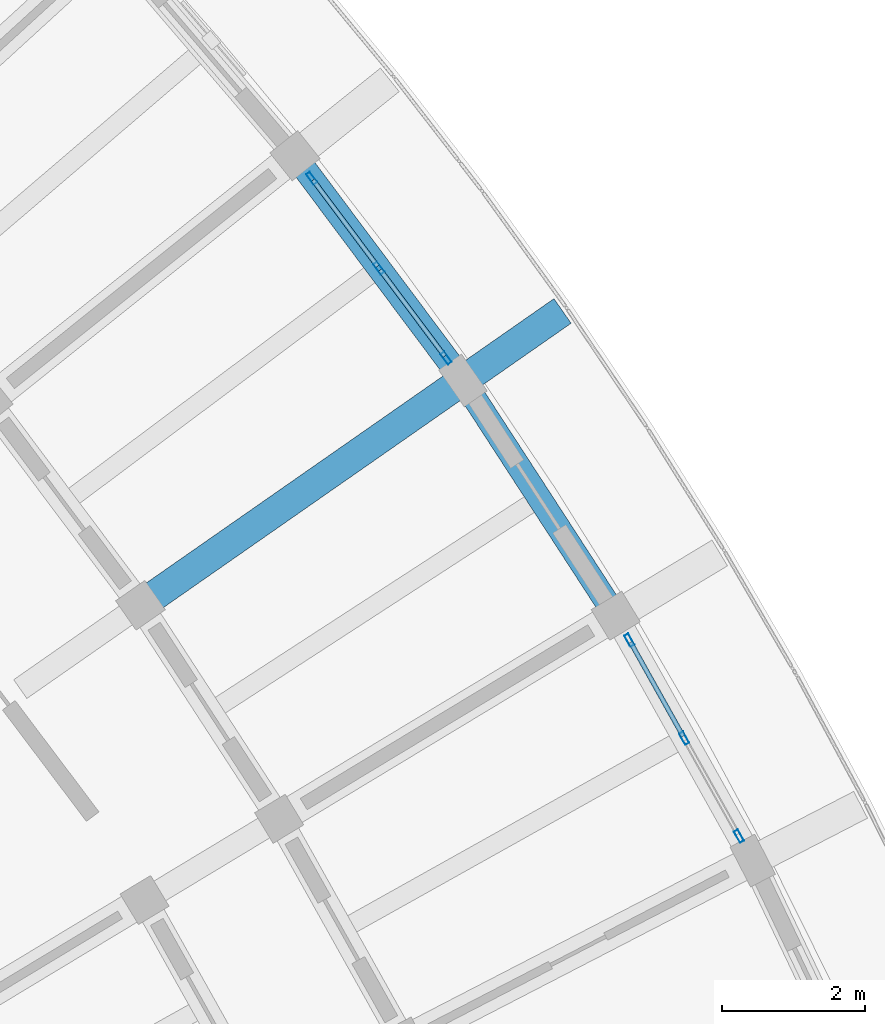
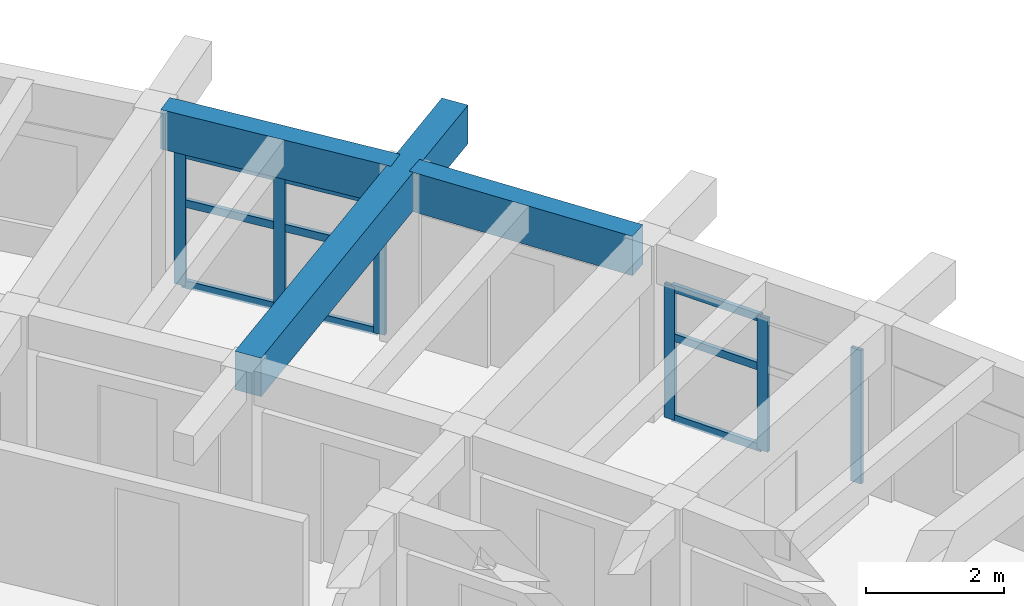
# One storey, part 23 of 62: 15 members, 3 beams, 2 elements without a shape of their own.
"""IFC4 building model written with IfcOpenShell, lengths in metres."""

from ifc_helpers import new_model, si_unit, direction, frame, origin, origin_2d, place, context, subcontext, project, spatial, rectangle, hollow_rectangle, extrude, material, material_profile, profile_set, type_object, element, aggregate, save


model = new_model("IFC4")

# Units and contexts
model_context = context("Model", 3, precision=1e-05, world=origin(), true_north=direction((0.0, 1.0)))
body_context = subcontext(model_context, "Body", "Model", "MODEL_VIEW")
ifc_project = project(units=[si_unit("LENGTHUNIT", "METRE"), si_unit("AREAUNIT", "SQUARE_METRE"), si_unit("VOLUMEUNIT", "CUBIC_METRE"), si_unit("PLANEANGLEUNIT", "RADIAN"), si_unit("MASSUNIT", "GRAM", prefix="KILO")], contexts=[model_context])

# Site, building, storey
site_placement = place(None, origin())
site = spatial("IfcSite", under=ifc_project, at=site_placement, CompositionType="ELEMENT")
building_placement = place(site_placement, origin())
building = spatial("IfcBuilding", under=site, at=building_placement, Name="Tanwirah Colonnade Gardens", CompositionType="ELEMENT")
storey_placement = place(building_placement, frame((0.0, 0.0, 32.360107421875)))
storey = spatial("IfcBuildingStorey", under=building, at=storey_placement, Name="L09", CompositionType="ELEMENT", Elevation=32.360107421875)

# Beam
ifc_material_1 = material(Name="Precast concrete C45/55", Category="concrete")
ifc_material_profile_1 = material_profile(ifc_material_1, rectangle(XDim=0.419921875, YDim=0.679931640625, at=origin_2d()), Name="PC-BM 420x680")
ifc_profile_set_1 = profile_set([ifc_material_profile_1], Name="Precast concrete C45/55")
beam_type_1 = type_object("IfcBeamType", Name="BM-PC420", PredefinedType="BEAM", material=ifc_profile_set_1)
beam_placement = place(storey_placement, frame((165.458251953125, 91.20166015625, 2.77490234375), z_axis=(0.820270158139, 0.571976282433, 0.0), x_axis=(-0.571976282433, 0.820270158139, 0.0)))
element("IfcBeam", 1, at=beam_placement, inside=storey, type_object=beam_type_1, Name="Block B L09 Outer Radial Precast Girder 5", PredefinedType="BEAM", context=body_context, shape_type="SweptSolid", body=[
    extrude(rectangle(XDim=0.419921875, YDim=0.679931640625, at=origin_2d()), origin(), (0.0, 0.0, 1.0), 7.050048828125),
])

# Curtain wall, members
ifc_material_2 = material(Name="Bronze-anodised aluminium and solar-control low-E glass", Category="aluminium")
curtain_wall_type = type_object("IfcCurtainWallType", Name="CW-LOB", PredefinedType="NOTDEFINED", material=ifc_material_2)
curtain_wall_1_placement = place(storey_placement, origin())
curtain_wall_1 = element("IfcCurtainWall", 2, at=curtain_wall_1_placement, inside=storey, type_object=curtain_wall_type, Name="Curtain Wall CW-B-L09-OUT-03", PredefinedType="NOTDEFINED")
ifc_material_3 = material(Name="Bronze-anodised aluminium", Category="aluminium")
ifc_material_profile_2 = material_profile(ifc_material_3, hollow_rectangle(XDim=0.06494140625, YDim=0.179931640625, WallThickness=0.00390625, at=origin_2d()), Name="CW-MUL 65x180x4")
ifc_profile_set_2 = profile_set([ifc_material_profile_2], Name="Bronze-anodised aluminium")
member_type_1 = type_object("IfcMemberType", Name="CWM-65x180", PredefinedType="MULLION", material=ifc_profile_set_2)
member_1_placement = place(storey_placement, frame((173.709716796875, 87.885986328125, 0.0), z_axis=(0.0, 0.0, 1.0), x_axis=(-0.8727316783, -0.488200181987, 0.0)))
member_1 = element("IfcMember", 3, at=member_1_placement, type_object=member_type_1, Name="CW-LOB mullion 1", PredefinedType="MULLION", context=body_context, shape_type="SweptSolid", body=[
    extrude(hollow_rectangle(XDim=0.06494140625, YDim=0.179931640625, WallThickness=0.00390625, at=origin_2d()), origin(), (0.0, 0.0, 1.0), 2.35498046875),
])
member_2_placement = place(storey_placement, frame((172.943115234375, 89.25634765625, 0.0), z_axis=(0.0, 0.0, 1.0), x_axis=(-0.8727316783, -0.488200181987, 0.0)))
member_2 = element("IfcMember", 4, at=member_2_placement, type_object=member_type_1, Name="CW-LOB mullion 2", PredefinedType="MULLION", context=body_context, shape_type="SweptSolid", body=[
    extrude(hollow_rectangle(XDim=0.06494140625, YDim=0.179931640625, WallThickness=0.00390625, at=origin_2d()), origin(), (0.0, 0.0, 1.0), 2.35498046875),
])
member_3_placement = place(storey_placement, frame((172.17626953125, 90.626953125, 0.0), z_axis=(0.0, 0.0, 1.0), x_axis=(-0.8727316783, -0.488200181987, 0.0)))
member_3 = element("IfcMember", 5, at=member_3_placement, type_object=member_type_1, Name="CW-LOB mullion 3", PredefinedType="MULLION", context=body_context, shape_type="SweptSolid", body=[
    extrude(hollow_rectangle(XDim=0.06494140625, YDim=0.179931640625, WallThickness=0.00390625, at=origin_2d()), origin(), (0.0, 0.0, 1.0), 2.35498046875),
])

curtain_wall_2_placement = place(storey_placement, origin())
curtain_wall_2 = element("IfcCurtainWall", 6, at=curtain_wall_2_placement, inside=storey, type_object=curtain_wall_type, Name="Curtain Wall CW-B-L09-OUT-05", PredefinedType="NOTDEFINED")
member_4_placement = place(storey_placement, frame((169.611572265625, 94.576171875, 0.0), z_axis=(0.0, 0.0, 1.0), x_axis=(-0.80096437036, -0.598712015425, 0.0)))
member_4 = element("IfcMember", 7, at=member_4_placement, type_object=member_type_1, Name="CW-LOB mullion 1", PredefinedType="MULLION", context=body_context, shape_type="SweptSolid", body=[
    extrude(hollow_rectangle(XDim=0.06494140625, YDim=0.179931640625, WallThickness=0.00390625, at=origin_2d()), origin(), (0.0, 0.0, 1.0), 2.35498046875),
])
member_5_placement = place(storey_placement, frame((168.67138671875, 95.833984375, 0.0), z_axis=(0.0, 0.0, 1.0), x_axis=(-0.80096437036, -0.598712015425, 0.0)))
member_5 = element("IfcMember", 8, at=member_5_placement, type_object=member_type_1, Name="CW-LOB mullion 2", PredefinedType="MULLION", context=body_context, shape_type="SweptSolid", body=[
    extrude(hollow_rectangle(XDim=0.06494140625, YDim=0.179931640625, WallThickness=0.00390625, at=origin_2d()), origin(), (0.0, 0.0, 1.0), 2.35498046875),
])
member_6_placement = place(storey_placement, frame((167.731201171875, 97.091796875, 0.0), z_axis=(0.0, 0.0, 1.0), x_axis=(-0.80096437036, -0.598712015425, 0.0)))
member_6 = element("IfcMember", 9, at=member_6_placement, type_object=member_type_1, Name="CW-LOB mullion 3", PredefinedType="MULLION", context=body_context, shape_type="SweptSolid", body=[
    extrude(hollow_rectangle(XDim=0.06494140625, YDim=0.179931640625, WallThickness=0.00390625, at=origin_2d()), origin(), (0.0, 0.0, 1.0), 2.35498046875),
])

# Member
ifc_material_profile_3 = material_profile(ifc_material_3, hollow_rectangle(XDim=0.06494140625, YDim=0.135009765625, WallThickness=0.00390625, at=origin_2d()), Name="CW-TRN 65x135x4")
ifc_profile_set_3 = profile_set([ifc_material_profile_3], Name="Bronze-anodised aluminium")
member_type_2 = type_object("IfcMemberType", Name="CWT-65x135", PredefinedType="USERDEFINED", material=ifc_profile_set_3)
member_7_placement = place(storey_placement, frame((172.92724609375, 89.28466796875, 0.032470703125), z_axis=(-0.488242877368, 0.872707793422, 0.0), x_axis=(-0.872707793422, -0.488242877368, 0.0)))
member_7 = element("IfcMember", 10, at=member_7_placement, type_object=member_type_2, Name="CW-LOB transom 2.1", ObjectType="TRANSOM", PredefinedType="USERDEFINED", context=body_context, shape_type="SweptSolid", body=[
    extrude(hollow_rectangle(XDim=0.06494140625, YDim=0.135009765625, WallThickness=0.00390625, at=origin_2d()), origin(), (0.0, 0.0, 1.0), 1.505615234375),
])

member_8_placement = place(storey_placement, frame((172.92724609375, 89.28466796875, 1.4599609375), z_axis=(-0.488242877368, 0.872707793422, 0.0), x_axis=(-0.872707793422, -0.488242877368, 0.0)))
member_8 = element("IfcMember", 11, at=member_8_placement, type_object=member_type_2, Name="CW-LOB transom 2.2", ObjectType="TRANSOM", PredefinedType="USERDEFINED", context=body_context, shape_type="SweptSolid", body=[
    extrude(hollow_rectangle(XDim=0.06494140625, YDim=0.135009765625, WallThickness=0.00390625, at=origin_2d()), origin(), (0.0, 0.0, 1.0), 1.505615234375),
])

member_9_placement = place(storey_placement, frame((172.92724609375, 89.28466796875, 2.322509765625), z_axis=(-0.488242877368, 0.872707793422, 0.0), x_axis=(-0.872707793422, -0.488242877368, 0.0)))
member_9 = element("IfcMember", 12, at=member_9_placement, type_object=member_type_2, Name="CW-LOB transom 2.3", ObjectType="TRANSOM", PredefinedType="USERDEFINED", context=body_context, shape_type="SweptSolid", body=[
    extrude(hollow_rectangle(XDim=0.06494140625, YDim=0.135009765625, WallThickness=0.00390625, at=origin_2d()), origin(), (0.0, 0.0, 1.0), 1.505615234375),
])

aggregate(curtain_wall_1, [member_1, member_2, member_3, member_7, member_8, member_9])

member_10_placement = place(storey_placement, frame((169.59228515625, 94.602294921875, 0.032470703125), z_axis=(-0.598805613382, 0.800894398396, 0.0), x_axis=(-0.800894398396, -0.598805613382, 0.0)))
member_10 = element("IfcMember", 13, at=member_10_placement, type_object=member_type_2, Name="CW-LOB transom 1.1", ObjectType="TRANSOM", PredefinedType="USERDEFINED", context=body_context, shape_type="SweptSolid", body=[
    extrude(hollow_rectangle(XDim=0.06494140625, YDim=0.135009765625, WallThickness=0.00390625, at=origin_2d()), origin(), (0.0, 0.0, 1.0), 1.50537109375),
])

member_11_placement = place(storey_placement, frame((169.59228515625, 94.602294921875, 1.4599609375), z_axis=(-0.598805613382, 0.800894398396, 0.0), x_axis=(-0.800894398396, -0.598805613382, 0.0)))
member_11 = element("IfcMember", 14, at=member_11_placement, type_object=member_type_2, Name="CW-LOB transom 1.2", ObjectType="TRANSOM", PredefinedType="USERDEFINED", context=body_context, shape_type="SweptSolid", body=[
    extrude(hollow_rectangle(XDim=0.06494140625, YDim=0.135009765625, WallThickness=0.00390625, at=origin_2d()), origin(), (0.0, 0.0, 1.0), 1.50537109375),
])

member_12_placement = place(storey_placement, frame((169.59228515625, 94.602294921875, 2.322509765625), z_axis=(-0.598805613382, 0.800894398396, 0.0), x_axis=(-0.800894398396, -0.598805613382, 0.0)))
member_12 = element("IfcMember", 15, at=member_12_placement, type_object=member_type_2, Name="CW-LOB transom 1.3", ObjectType="TRANSOM", PredefinedType="USERDEFINED", context=body_context, shape_type="SweptSolid", body=[
    extrude(hollow_rectangle(XDim=0.06494140625, YDim=0.135009765625, WallThickness=0.00390625, at=origin_2d()), origin(), (0.0, 0.0, 1.0), 1.50537109375),
])

member_13_placement = place(storey_placement, frame((168.652099609375, 95.860107421875, 0.032470703125), z_axis=(-0.598805613382, 0.800894398396, 0.0), x_axis=(-0.800894398396, -0.598805613382, 0.0)))
member_13 = element("IfcMember", 16, at=member_13_placement, type_object=member_type_2, Name="CW-LOB transom 2.1", ObjectType="TRANSOM", PredefinedType="USERDEFINED", context=body_context, shape_type="SweptSolid", body=[
    extrude(hollow_rectangle(XDim=0.06494140625, YDim=0.135009765625, WallThickness=0.00390625, at=origin_2d()), origin(), (0.0, 0.0, 1.0), 1.50537109375),
])

member_14_placement = place(storey_placement, frame((168.652099609375, 95.860107421875, 1.4599609375), z_axis=(-0.598805613382, 0.800894398396, 0.0), x_axis=(-0.800894398396, -0.598805613382, 0.0)))
member_14 = element("IfcMember", 17, at=member_14_placement, type_object=member_type_2, Name="CW-LOB transom 2.2", ObjectType="TRANSOM", PredefinedType="USERDEFINED", context=body_context, shape_type="SweptSolid", body=[
    extrude(hollow_rectangle(XDim=0.06494140625, YDim=0.135009765625, WallThickness=0.00390625, at=origin_2d()), origin(), (0.0, 0.0, 1.0), 1.50537109375),
])

member_15_placement = place(storey_placement, frame((168.652099609375, 95.860107421875, 2.322509765625), z_axis=(-0.598805613382, 0.800894398396, 0.0), x_axis=(-0.800894398396, -0.598805613382, 0.0)))
member_15 = element("IfcMember", 18, at=member_15_placement, type_object=member_type_2, Name="CW-LOB transom 2.3", ObjectType="TRANSOM", PredefinedType="USERDEFINED", context=body_context, shape_type="SweptSolid", body=[
    extrude(hollow_rectangle(XDim=0.06494140625, YDim=0.135009765625, WallThickness=0.00390625, at=origin_2d()), origin(), (0.0, 0.0, 1.0), 1.50537109375),
])

aggregate(curtain_wall_2, [member_4, member_5, member_6, member_10, member_11, member_12, member_13, member_14, member_15])

# Beams
ifc_material_4 = material(Name="Precast concrete C40/50", Category="concrete")
ifc_material_profile_4 = material_profile(ifc_material_4, rectangle(XDim=0.3349609375, YDim=0.695068359375, at=origin_2d()), Name="PC-SP 335x695")
ifc_profile_set_4 = profile_set([ifc_material_profile_4], Name="Precast concrete C40/50")
beam_type_2 = type_object("IfcBeamType", Name="SP-PC300", PredefinedType="SPANDREL", material=ifc_profile_set_4)
for number, where, z_axis, x_axis, name in (
    (19, (171.903076171875, 91.09521484375, 2.767333984375), (-0.544621436184, 0.838681996497, 0.0), (-0.838681996497, -0.544621436184, 0.0), "Block B L09 Circumferential Beam 4-R3"),
    (20, (169.7568359375, 94.382080078125, 2.767333984375), (-0.598695554058, 0.800976674786, 0.0), (-0.800976674786, -0.598695554058, 0.0), "Block B L09 Circumferential Beam 5-R3"),
):
    element("IfcBeam", number, at=place(storey_placement, frame(where, z_axis=z_axis, x_axis=x_axis)), inside=storey, type_object=beam_type_2, Name=name, PredefinedType="SPANDREL", context=body_context, shape_type="SweptSolid", body=[
        extrude(rectangle(XDim=0.3349609375, YDim=0.695068359375, at=origin_2d()), origin(), (0.0, 0.0, 1.0), 3.625732421875),
    ])

save(model, "model.ifc")
